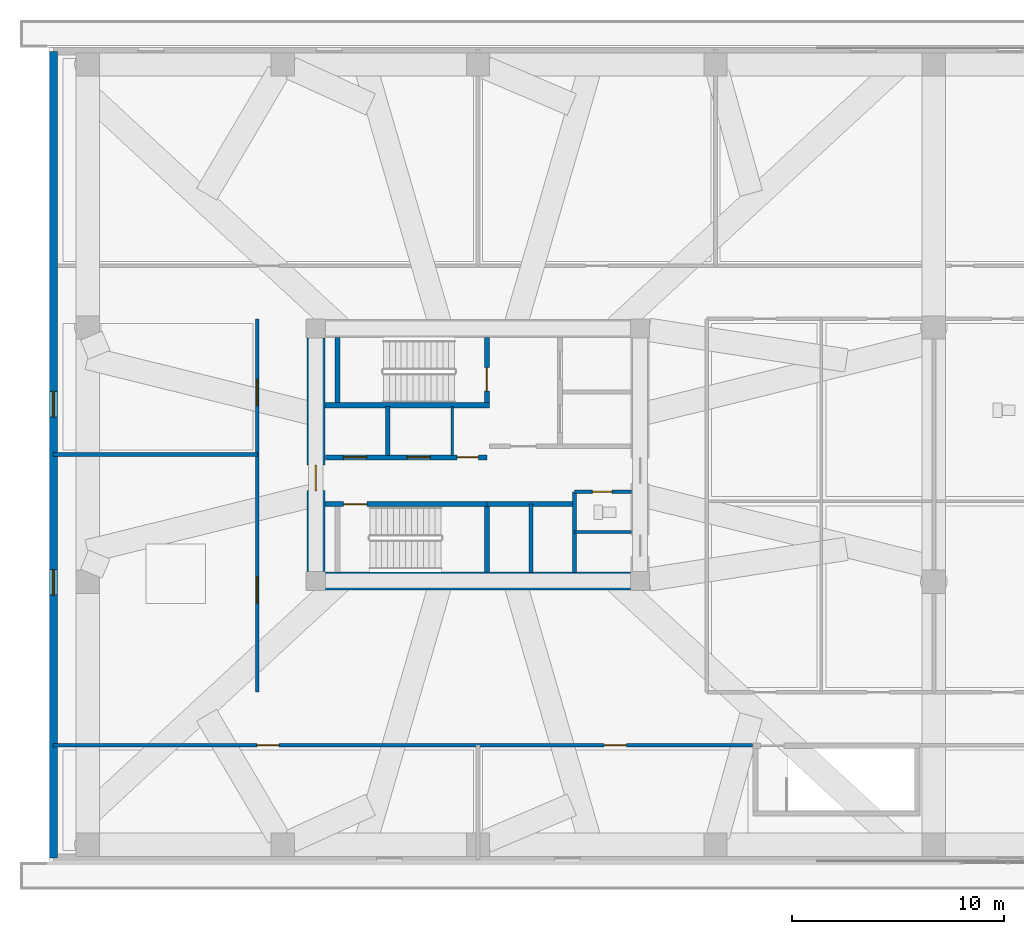
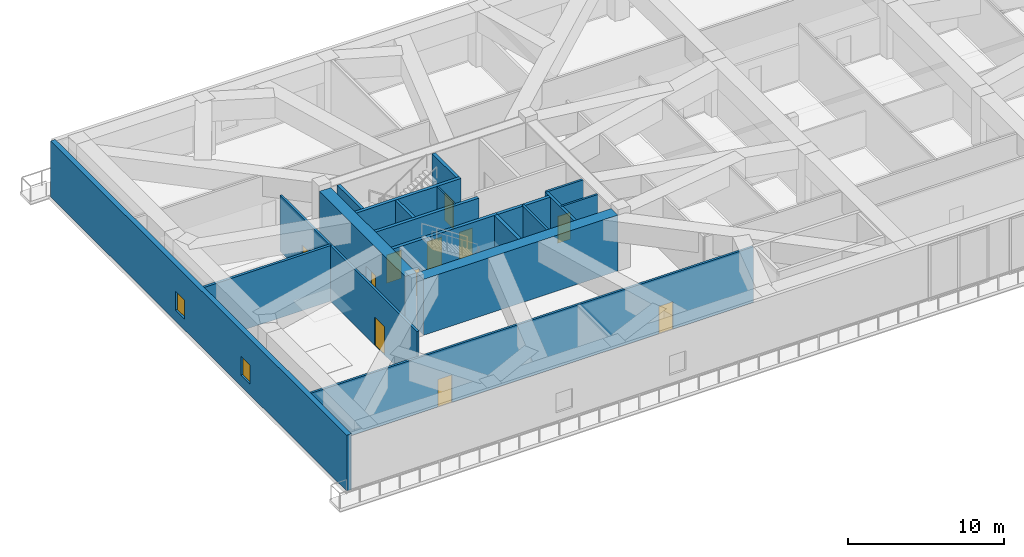
# One storey, part 5 of 21: 19 walls, 11 doors, 2 windows, 13 openings.
"""IFC4 building model written with IfcOpenShell, lengths in metres."""

from ifc_helpers import new_model, si_unit, direction, frame, frame_2d, origin, place, context, subcontext, project, spatial, rectangle, extrude, source, transform, mapped, material, layer, layer_set, type_object, type_shapes, element, fill, save


model = new_model("IFC4")

# Units and contexts
model_context = context("Model", 3, precision=1e-05, world=origin(), true_north=direction((0.0, 1.0)))
body_context = subcontext(model_context, "Body", "Model", "MODEL_VIEW")
ifc_project = project(units=[si_unit("LENGTHUNIT", "METRE"), si_unit("AREAUNIT", "SQUARE_METRE"), si_unit("VOLUMEUNIT", "CUBIC_METRE"), si_unit("PLANEANGLEUNIT", "RADIAN"), si_unit("MASSUNIT", "GRAM", prefix="KILO")], contexts=[model_context])

# Site, building, storey
site_placement = place(None, origin())
site = spatial("IfcSite", under=ifc_project, at=site_placement, CompositionType="ELEMENT")
building_placement = place(site_placement, origin())
building = spatial("IfcBuilding", under=site, at=building_placement, Name="Norrkilde Senior Care Towers", CompositionType="ELEMENT")
storey_placement = place(building_placement, frame((0.0, 0.0, 16.800048828125)))
storey = spatial("IfcBuildingStorey", under=building, at=storey_placement, Name="L04", CompositionType="ELEMENT", Elevation=16.800048828125)

# Wall
ifc_material_1 = material(Name="Concrete C60/75", Category="concrete")
ifc_layer_1 = layer(ifc_material_1, 0.85009765625)
ifc_layer_set_1 = layer_set([ifc_layer_1], Name="Concrete C60/75")
wall_type_1 = type_object("IfcWallType", Name="Core Shear Wall Z1 850", PredefinedType="SHEAR", material=ifc_layer_set_1)
shared_shape_1 = source(origin(), body_context, "Body", "SweptSolid", [
    extrude(rectangle(XDim=14.39990234375, YDim=0.85009765625, at=frame_2d((7.199951171875, 0.0))), origin(), (0.0, 0.0, 1.0), 4.3798828125),
])
wall_1_placement = place(storey_placement, frame((-20.800048828125, -5.949951171875, 0.0), z_axis=(0.0, 0.0, 1.0), x_axis=(-1.0, 0.0, 0.0)))
element("IfcWall", 1, at=wall_1_placement, inside=storey, type_object=wall_type_1, Name="L04 Core W South Shear Wall", PredefinedType="SHEAR", context=body_context, shape_type="MappedRepresentation", body=[
    mapped(shared_shape_1, transform((0.0, 0.0, 0.0), x_axis=(1.0, 0.0, 0.0), y_axis=(0.0, 1.0, 0.0), z_axis=(0.0, 0.0, 1.0), scale=1.0)),
])

# Wall, opening, door
shared_shape_2 = source(origin(), body_context, "Body", "SweptSolid", [
    extrude(rectangle(XDim=11.0, YDim=0.85009765625, at=frame_2d((5.5, 0.0))), origin(), (0.0, 0.0, 1.0), 4.3798828125),
])
type_shapes(wall_type_1, [shared_shape_1, shared_shape_2])
wall_2_placement = place(storey_placement, frame((-35.64990234375, -5.5, 0.0), z_axis=(0.0, 0.0, 1.0), x_axis=(0.0, 1.0, 0.0)))
wall_2 = element("IfcWall", 2, at=wall_2_placement, inside=storey, type_object=wall_type_1, Name="L04 Core W West Shear Wall", PredefinedType="SHEAR", context=body_context, shape_type="MappedRepresentation", body=[
    mapped(shared_shape_2, transform((0.0, 0.0, 0.0), x_axis=(1.0, 0.0, 0.0), y_axis=(0.0, 1.0, 0.0), z_axis=(0.0, 0.0, 1.0), scale=1.0)),
])
opening_1_placement = place(wall_2_placement, frame((3.800048828125, 0.0, 0.0)))
opening_1 = element("IfcOpeningElement", 3, at=opening_1_placement, cuts=wall_2, Name="Opening D-04", PredefinedType="OPENING", context=body_context, shape_type="SweptSolid", body=[
    extrude(rectangle(XDim=1.199951171875, YDim=2.14990234375, at=frame_2d((0.60009765625, 1.074951171875))), frame((0.0, 0.43505859375, 0.0), z_axis=(0.0, -1.0, 0.0), x_axis=(1.0, 0.0, 0.0)), (0.0, 0.0, 1.0), 0.8701171875),
])
ifc_material_2 = material(Name="Galvanised Painted Steel", Category="steel")
door_type_1 = type_object("IfcDoorType", Name="Firefighting Lobby Fire Door 1200x2150", OperationType="NOTDEFINED", PredefinedType="DOOR", material=ifc_material_2)
shared_shape_3 = source(origin(), body_context, "Body", "SweptSolid", [
    extrude(rectangle(XDim=1.199951171875, YDim=2.14990234375, at=frame_2d((0.60009765625, 1.074951171875))), frame((0.0, 0.02490234375, 0.0), z_axis=(0.0, -1.0, 0.0), x_axis=(1.0, 0.0, 0.0)), (0.0, 0.0, 1.0), 0.050048828125),
])
type_shapes(door_type_1, [shared_shape_3])
door_1_placement = place(opening_1_placement, frame((1.199951171875, 0.0, 0.0), z_axis=(0.0, 0.0, 1.0), x_axis=(-1.0, 0.0, 0.0)))
door_1 = element("IfcDoor", 4, at=door_1_placement, inside=storey, type_object=door_type_1, Name="L04 Core W West Portal Door", OperationType="SINGLE_SWING_LEFT", OverallHeight=2.14990234375, OverallWidth=1.199951171875, PredefinedType="DOOR", context=body_context, shape_type="MappedRepresentation", body=[
    mapped(shared_shape_3, transform((0.0, 0.0, 0.0), x_axis=(1.0, 0.0, 0.0), y_axis=(0.0, 1.0, 0.0), z_axis=(0.0, 0.0, 1.0), scale=1.0)),
])
fill(opening_1, door_1)

# Wall, openings, windows
ifc_material_3 = material(Name="Precast concrete C45/55", Category="concrete")
ifc_layer_2 = layer(ifc_material_3, 0.360107421875)
ifc_layer_set_2 = layer_set([ifc_layer_2], Name="Precast concrete C45/55")
wall_type_2 = type_object("IfcWallType", Name="Podium Facade Wall 360", PredefinedType="SOLIDWALL", material=ifc_layer_set_2)
shared_shape_4 = source(origin(), body_context, "Body", "SweptSolid", [
    extrude(rectangle(XDim=38.0400390625, YDim=0.360107421875, at=frame_2d((19.02001953125, 0.0))), origin(), (0.0, 0.0, 1.0), 4.3798828125),
])
type_shapes(wall_type_2, [shared_shape_4])
wall_3_placement = place(storey_placement, frame((-48.02001953125, -19.02001953125, 0.0), z_axis=(0.0, 0.0, 1.0), x_axis=(0.0, 1.0, 0.0)))
wall_3 = element("IfcWall", 5, at=wall_3_placement, inside=storey, type_object=wall_type_2, Name="L04 Podium W Facade Wall", PredefinedType="SOLIDWALL", context=body_context, shape_type="MappedRepresentation", body=[
    mapped(shared_shape_4, transform((0.0, 0.0, 0.0), x_axis=(1.0, 0.0, 0.0), y_axis=(0.0, 1.0, 0.0), z_axis=(0.0, 0.0, 1.0), scale=1.0)),
])
opening_2_placement = place(wall_3_placement, frame((12.39990234375, 0.0, 0.85009765625)))
opening_2 = element("IfcOpeningElement", 6, at=opening_2_placement, cuts=wall_3, Name="Opening WN-07", PredefinedType="OPENING", context=body_context, shape_type="SweptSolid", body=[
    extrude(rectangle(XDim=1.199951171875, YDim=1.5, at=frame_2d((0.60009765625, 0.75))), frame((0.0, 0.18994140625, 0.0), z_axis=(0.0, -1.0, 0.0), x_axis=(1.0, 0.0, 0.0)), (0.0, 0.0, 1.0), 0.380126953125),
])
opening_3_placement = place(wall_3_placement, frame((20.800048828125, 0.0, 0.85009765625)))
opening_3 = element("IfcOpeningElement", 7, at=opening_3_placement, cuts=wall_3, Name="Opening WN-07", PredefinedType="OPENING", context=body_context, shape_type="SweptSolid", body=[
    extrude(rectangle(XDim=1.199951171875, YDim=1.5, at=frame_2d((0.60009765625, 0.75))), frame((0.0, 0.18994140625, 0.0), z_axis=(0.0, -1.0, 0.0), x_axis=(1.0, 0.0, 0.0)), (0.0, 0.0, 1.0), 0.380126953125),
])
ifc_material_4 = material(Name="Triple Low-E Insulated Glazing", Category="glass")
window_type = type_object("IfcWindowType", Name="Stairwell Smoke Vent Window 1200x1500", PartitioningType="SINGLE_PANEL", PredefinedType="WINDOW", material=ifc_material_4)
shared_shape_5 = source(origin(), body_context, "Body", "SweptSolid", [
    extrude(rectangle(XDim=1.199951171875, YDim=1.5, at=frame_2d((0.60009765625, 0.75))), frame((0.0, 0.030029296875, 0.0), z_axis=(0.0, -1.0, 0.0), x_axis=(1.0, 0.0, 0.0)), (0.0, 0.0, 1.0), 0.06005859375),
])
type_shapes(window_type, [shared_shape_5])
window_1_placement = place(opening_2_placement, origin())
window_1 = element("IfcWindow", 8, at=window_1_placement, inside=storey, type_object=window_type, Name="L04 W Window 02", OverallHeight=1.5, OverallWidth=1.199951171875, PartitioningType="SINGLE_PANEL", PredefinedType="WINDOW", context=body_context, shape_type="MappedRepresentation", body=[
    mapped(shared_shape_5, transform((0.0, 0.0, 0.0), x_axis=(1.0, 0.0, 0.0), y_axis=(0.0, 1.0, 0.0), z_axis=(0.0, 0.0, 1.0), scale=1.0)),
])
fill(opening_2, window_1)
window_2_placement = place(opening_3_placement, origin())
window_2 = element("IfcWindow", 9, at=window_2_placement, inside=storey, type_object=window_type, Name="L04 W Window 03", OverallHeight=1.5, OverallWidth=1.199951171875, PartitioningType="SINGLE_PANEL", PredefinedType="WINDOW", context=body_context, shape_type="MappedRepresentation", body=[
    mapped(shared_shape_5, transform((0.0, 0.0, 0.0), x_axis=(1.0, 0.0, 0.0), y_axis=(0.0, 1.0, 0.0), z_axis=(0.0, 0.0, 1.0), scale=1.0)),
])
fill(opening_3, window_2)

# Wall
ifc_material_5 = material(Name="Concrete C45/55", Category="concrete")
ifc_layer_3 = layer(ifc_material_5, 0.239990234375)
ifc_layer_set_3 = layer_set([ifc_layer_3], Name="Concrete C45/55")
wall_type_3 = type_object("IfcWallType", Name="Shaft and Stair Enclosure Wall 240", PredefinedType="PARTITIONING", material=ifc_layer_set_3)
shared_shape_6 = source(origin(), body_context, "Body", "SweptSolid", [
    extrude(rectangle(XDim=7.76513671875, YDim=0.239990234375, at=frame_2d((3.882568359375, 0.0))), origin(), (0.0, 0.0, 1.0), 4.3798828125),
])
wall_4_placement = place(storey_placement, frame((-35.22509765625, 2.330078125, 0.0), z_axis=(0.0, 0.0, 1.0), x_axis=(1.0, 0.0, 0.0)))
element("IfcWall", 10, at=wall_4_placement, inside=storey, type_object=wall_type_3, Name="WL-INT-L04-W-ST1S", PredefinedType="PARTITIONING", context=body_context, shape_type="MappedRepresentation", body=[
    mapped(shared_shape_6, transform((0.0, 0.0, 0.0), x_axis=(1.0, 0.0, 0.0), y_axis=(0.0, 1.0, 0.0), z_axis=(0.0, 0.0, 1.0), scale=1.0)),
])

# Wall, opening, door
wall_5_placement = place(storey_placement, frame((-35.22509765625, -2.330078125, 0.0), z_axis=(0.0, 0.0, 1.0), x_axis=(1.0, 0.0, 0.0)))
wall_5 = element("IfcWall", 11, at=wall_5_placement, inside=storey, type_object=wall_type_3, Name="WL-INT-L04-W-ST2N", PredefinedType="PARTITIONING", context=body_context, shape_type="MappedRepresentation", body=[
    mapped(shared_shape_6, transform((0.0, 0.0, 0.0), x_axis=(1.0, 0.0, 0.0), y_axis=(0.0, 1.0, 0.0), z_axis=(0.0, 0.0, 1.0), scale=1.0)),
])
opening_4_placement = place(wall_5_placement, frame((0.885009765625, 0.0, 0.0)))
opening_4 = element("IfcOpeningElement", 12, at=opening_4_placement, cuts=wall_5, Name="Opening D-03", PredefinedType="OPENING", context=body_context, shape_type="SweptSolid", body=[
    extrude(rectangle(XDim=1.10009765625, YDim=2.14990234375, at=frame_2d((0.550048828125, 1.074951171875))), frame((0.0, 0.1298828125, 0.0), z_axis=(0.0, -1.0, 0.0), x_axis=(1.0, 0.0, 0.0)), (0.0, 0.0, 1.0), 0.260009765625),
])
door_type_2 = type_object("IfcDoorType", Name="Stairwell Protected Fire Door 1100x2150", OperationType="NOTDEFINED", PredefinedType="DOOR", material=ifc_material_2)
shared_shape_7 = source(origin(), body_context, "Body", "SweptSolid", [
    extrude(rectangle(XDim=1.10009765625, YDim=2.14990234375, at=frame_2d((0.550048828125, 1.074951171875))), frame((0.0, 0.02490234375, 0.0), z_axis=(0.0, -1.0, 0.0), x_axis=(1.0, 0.0, 0.0)), (0.0, 0.0, 1.0), 0.050048828125),
])
type_shapes(door_type_2, [shared_shape_7])
door_2_placement = place(opening_4_placement, frame((1.10009765625, 0.0, 0.0), z_axis=(0.0, 0.0, 1.0), x_axis=(-1.0, 0.0, 0.0)))
door_2 = element("IfcDoor", 13, at=door_2_placement, inside=storey, type_object=door_type_2, Name="L04 Stair W2 Fire Door", OperationType="SINGLE_SWING_RIGHT", OverallHeight=2.14990234375, OverallWidth=1.10009765625, PredefinedType="DOOR", context=body_context, shape_type="MappedRepresentation", body=[
    mapped(shared_shape_7, transform((0.0, 0.0, 0.0), x_axis=(1.0, 0.0, 0.0), y_axis=(0.0, 1.0, 0.0), z_axis=(0.0, 0.0, 1.0), scale=1.0)),
])
fill(opening_4, door_2)

# Wall
shared_shape_8 = source(origin(), body_context, "Body", "SweptSolid", [
    extrude(rectangle(XDim=3.074951171875, YDim=0.239990234375, at=frame_2d((1.53759765625, 0.0))), origin(), (0.0, 0.0, 1.0), 4.3798828125),
])
type_shapes(wall_type_3, [shared_shape_6, shared_shape_8])
wall_6_placement = place(storey_placement, frame((-34.6201171875, 2.449951171875, 0.0), z_axis=(0.0, 0.0, 1.0), x_axis=(0.0, 1.0, 0.0)))
element("IfcWall", 14, at=wall_6_placement, inside=storey, type_object=wall_type_3, Name="WL-INT-L04-W-ST1W", PredefinedType="PARTITIONING", context=body_context, shape_type="MappedRepresentation", body=[
    mapped(shared_shape_8, transform((0.0, 0.0, 0.0), x_axis=(1.0, 0.0, 0.0), y_axis=(0.0, 1.0, 0.0), z_axis=(0.0, 0.0, 1.0), scale=1.0)),
])

# Wall, opening, door
wall_7_placement = place(storey_placement, frame((-27.580078125, 2.449951171875, 0.0), z_axis=(0.0, 0.0, 1.0), x_axis=(0.0, 1.0, 0.0)))
wall_7 = element("IfcWall", 15, at=wall_7_placement, inside=storey, type_object=wall_type_3, Name="WL-INT-L04-W-ST1E", PredefinedType="PARTITIONING", context=body_context, shape_type="MappedRepresentation", body=[
    mapped(shared_shape_8, transform((0.0, 0.0, 0.0), x_axis=(1.0, 0.0, 0.0), y_axis=(0.0, 1.0, 0.0), z_axis=(0.0, 0.0, 1.0), scale=1.0)),
])
opening_5_placement = place(wall_7_placement, frame((0.550048828125, 0.0, 0.0)))
opening_5 = element("IfcOpeningElement", 16, at=opening_5_placement, cuts=wall_7, Name="Opening D-03", PredefinedType="OPENING", context=body_context, shape_type="SweptSolid", body=[
    extrude(rectangle(XDim=1.10009765625, YDim=2.14990234375, at=frame_2d((0.550048828125, 1.074951171875))), frame((0.0, 0.1298828125, 0.0), z_axis=(0.0, -1.0, 0.0), x_axis=(1.0, 0.0, 0.0)), (0.0, 0.0, 1.0), 0.260009765625),
])
door_3_placement = place(opening_5_placement, origin())
door_3 = element("IfcDoor", 17, at=door_3_placement, inside=storey, type_object=door_type_2, Name="L04 Stair W1 Fire Door", OperationType="SINGLE_SWING_LEFT", OverallHeight=2.14990234375, OverallWidth=1.10009765625, PredefinedType="DOOR", context=body_context, shape_type="MappedRepresentation", body=[
    mapped(shared_shape_7, transform((0.0, 0.0, 0.0), x_axis=(1.0, 0.0, 0.0), y_axis=(0.0, 1.0, 0.0), z_axis=(0.0, 0.0, 1.0), scale=1.0)),
])
fill(opening_5, door_3)

# Wall
wall_8_placement = place(storey_placement, frame((-27.580078125, -5.52490234375, 0.0), z_axis=(0.0, 0.0, 1.0), x_axis=(0.0, 1.0, 0.0)))
element("IfcWall", 18, at=wall_8_placement, inside=storey, type_object=wall_type_3, Name="WL-INT-L04-W-ST2E", PredefinedType="PARTITIONING", context=body_context, shape_type="MappedRepresentation", body=[
    mapped(shared_shape_8, transform((0.0, 0.0, 0.0), x_axis=(1.0, 0.0, 0.0), y_axis=(0.0, 1.0, 0.0), z_axis=(0.0, 0.0, 1.0), scale=1.0)),
])

# Wall, openings, doors
ifc_layer_4 = layer(ifc_material_5, 0.239990234375)
ifc_layer_set_4 = layer_set([ifc_layer_4], Name="Concrete C45/55")
wall_type_4 = type_object("IfcWallType", Name="Lift and Plant Rated Enclosure Partition 240", PredefinedType="PARTITIONING", material=ifc_layer_set_4)
shared_shape_9 = source(origin(), body_context, "Body", "SweptSolid", [
    extrude(rectangle(XDim=7.619873046875, YDim=0.239990234375, at=frame_2d((3.81005859375, 0.0))), origin(), (0.0, 0.0, 1.0), 4.364990234375),
])
wall_9_placement = place(storey_placement, frame((-35.199951171875, -0.1298828125, 0.0), z_axis=(0.0, 0.0, 1.0), x_axis=(1.0, 0.0, 0.0)))
wall_9 = element("IfcWall", 19, at=wall_9_placement, inside=storey, type_object=wall_type_4, Name="WL-INT-L04-W-PKAS", PredefinedType="PARTITIONING", context=body_context, shape_type="MappedRepresentation", body=[
    mapped(shared_shape_9, transform((0.0, 0.0, 0.0), x_axis=(1.0, 0.0, 0.0), y_axis=(0.0, 1.0, 0.0), z_axis=(0.0, 0.0, 1.0), scale=1.0)),
])
opening_6_placement = place(wall_9_placement, frame((6.219970703125, 0.0, 0.0)))
opening_6 = element("IfcOpeningElement", 20, at=opening_6_placement, cuts=wall_9, Name="Opening D-10", PredefinedType="OPENING", context=body_context, shape_type="SweptSolid", body=[
    extrude(rectangle(XDim=1.0, YDim=2.10009765625, at=frame_2d((0.5, 1.050048828125))), frame((0.0, 0.1298828125, 0.0), z_axis=(0.0, -1.0, 0.0), x_axis=(1.0, 0.0, 0.0)), (0.0, 0.0, 1.0), 0.260009765625),
])
opening_7_placement = place(wall_9_placement, frame((0.85009765625, 0.0, 0.0)))
opening_7 = element("IfcOpeningElement", 21, at=opening_7_placement, cuts=wall_9, Name="Opening LD-01", PredefinedType="OPENING", context=body_context, shape_type="SweptSolid", body=[
    extrude(rectangle(XDim=1.10009765625, YDim=2.199951171875, at=frame_2d((0.550048828125, 1.10009765625))), frame((0.0, 0.1298828125, 0.0), z_axis=(0.0, -1.0, 0.0), x_axis=(1.0, 0.0, 0.0)), (0.0, 0.0, 1.0), 0.260009765625),
])
opening_8_placement = place(wall_9_placement, frame((3.85009765625, 0.0, 0.0)))
opening_8 = element("IfcOpeningElement", 22, at=opening_8_placement, cuts=wall_9, Name="Opening LD-01", PredefinedType="OPENING", context=body_context, shape_type="SweptSolid", body=[
    extrude(rectangle(XDim=1.10009765625, YDim=2.199951171875, at=frame_2d((0.550048828125, 1.10009765625))), frame((0.0, 0.1298828125, 0.0), z_axis=(0.0, -1.0, 0.0), x_axis=(1.0, 0.0, 0.0)), (0.0, 0.0, 1.0), 0.260009765625),
])
door_type_3 = type_object("IfcDoorType", Name="Plant and Riser Rated Door 1000x2100", OperationType="NOTDEFINED", PredefinedType="DOOR", material=ifc_material_2)
shared_shape_10 = source(origin(), body_context, "Body", "SweptSolid", [
    extrude(rectangle(XDim=1.0, YDim=2.10009765625, at=frame_2d((0.5, 1.050048828125))), frame((0.0, 0.02490234375, 0.0), z_axis=(0.0, -1.0, 0.0), x_axis=(1.0, 0.0, 0.0)), (0.0, 0.0, 1.0), 0.050048828125),
])
type_shapes(door_type_3, [shared_shape_10])
door_4_placement = place(opening_6_placement, frame((1.0, 0.0, 0.0), z_axis=(0.0, 0.0, 1.0), x_axis=(-1.0, 0.0, 0.0)))
door_4 = element("IfcDoor", 23, at=door_4_placement, inside=storey, type_object=door_type_3, Name="L04 Electrical Riser W Door", OperationType="SINGLE_SWING_LEFT", OverallHeight=2.10009765625, OverallWidth=1.0, PredefinedType="DOOR", context=body_context, shape_type="MappedRepresentation", body=[
    mapped(shared_shape_10, transform((0.0, 0.0, 0.0), x_axis=(1.0, 0.0, 0.0), y_axis=(0.0, 1.0, 0.0), z_axis=(0.0, 0.0, 1.0), scale=1.0)),
])
fill(opening_6, door_4)
ifc_material_6 = material(Name="Stainless Steel", Category="steel")
door_type_4 = type_object("IfcDoorType", Name="Lift Landing Sliding Door 1100x2200", OperationType="NOTDEFINED", PredefinedType="DOOR", material=ifc_material_6)
shared_shape_11 = source(origin(), body_context, "Body", "SweptSolid", [
    extrude(rectangle(XDim=1.10009765625, YDim=2.199951171875, at=frame_2d((0.550048828125, 1.10009765625))), frame((0.0, 0.02490234375, 0.0), z_axis=(0.0, -1.0, 0.0), x_axis=(1.0, 0.0, 0.0)), (0.0, 0.0, 1.0), 0.050048828125),
])
type_shapes(door_type_4, [shared_shape_11])
door_5_placement = place(opening_7_placement, origin())
door_5 = element("IfcDoor", 24, at=door_5_placement, inside=storey, type_object=door_type_4, Name="L04 Passenger Lift W1 Landing Door", OperationType="SLIDING_TO_LEFT", OverallHeight=2.199951171875, OverallWidth=1.10009765625, PredefinedType="DOOR", context=body_context, shape_type="MappedRepresentation", body=[
    mapped(shared_shape_11, transform((0.0, 0.0, 0.0), x_axis=(1.0, 0.0, 0.0), y_axis=(0.0, 1.0, 0.0), z_axis=(0.0, 0.0, 1.0), scale=1.0)),
])
fill(opening_7, door_5)
door_6_placement = place(opening_8_placement, origin())
door_6 = element("IfcDoor", 25, at=door_6_placement, inside=storey, type_object=door_type_4, Name="L04 Passenger Lift W2 Landing Door", OperationType="SLIDING_TO_RIGHT", OverallHeight=2.199951171875, OverallWidth=1.10009765625, PredefinedType="DOOR", context=body_context, shape_type="MappedRepresentation", body=[
    mapped(shared_shape_11, transform((0.0, 0.0, 0.0), x_axis=(1.0, 0.0, 0.0), y_axis=(0.0, 1.0, 0.0), z_axis=(0.0, 0.0, 1.0), scale=1.0)),
])
fill(opening_8, door_6)

# Walls
ifc_material_7 = material(Name="Gypsum Acoustic Board")
ifc_layer_5 = layer(ifc_material_7, 0.114990234375)
ifc_layer_set_5 = layer_set([ifc_layer_5], Name="Gypsum Acoustic Board")
wall_type_5 = type_object("IfcWallType", Name="Internal Room Partition 115", PredefinedType="PARTITIONING", material=ifc_layer_set_5)
shared_shape_12 = source(origin(), body_context, "Body", "SweptSolid", [
    extrude(rectangle(XDim=2.330078125, YDim=0.114990234375, at=frame_2d((1.1650390625, 0.0))), origin(), (0.0, 0.0, 1.0), 4.364990234375),
])
type_shapes(wall_type_5, [shared_shape_12])
wall_10_placement = place(storey_placement, frame((-29.2099609375, -0.050048828125, 0.0), z_axis=(0.0, 0.0, 1.0), x_axis=(0.0, 1.0, 0.0)))
element("IfcWall", 26, at=wall_10_placement, inside=storey, type_object=wall_type_5, Name="WL-INT-L04-W-RISW", PredefinedType="PARTITIONING", context=body_context, shape_type="MappedRepresentation", body=[
    mapped(shared_shape_12, transform((0.0, 0.0, 0.0), x_axis=(1.0, 0.0, 0.0), y_axis=(0.0, 1.0, 0.0), z_axis=(0.0, 0.0, 1.0), scale=1.0)),
])
ifc_layer_6 = layer(ifc_material_5, 0.199951171875)
ifc_layer_set_6 = layer_set([ifc_layer_6], Name="Concrete C45/55")
wall_type_6 = type_object("IfcWallType", Name="Shaft Division and Plant Partition 200", PredefinedType="PARTITIONING", material=ifc_layer_set_6)
shared_shape_13 = source(origin(), body_context, "Body", "SweptSolid", [
    extrude(rectangle(XDim=2.330078125, YDim=0.199951171875, at=frame_2d((1.1650390625, 0.0))), origin(), (0.0, 0.0, 1.0), 4.364990234375),
])
wall_11_placement = place(storey_placement, frame((-32.25, -0.050048828125, 0.0), z_axis=(0.0, 0.0, 1.0), x_axis=(0.0, 1.0, 0.0)))
element("IfcWall", 27, at=wall_11_placement, inside=storey, type_object=wall_type_6, Name="WL-INT-L04-W-PL12", PredefinedType="PARTITIONING", context=body_context, shape_type="MappedRepresentation", body=[
    mapped(shared_shape_13, transform((0.0, 0.0, 0.0), x_axis=(1.0, 0.0, 0.0), y_axis=(0.0, 1.0, 0.0), z_axis=(0.0, 0.0, 1.0), scale=1.0)),
])
shared_shape_14 = source(origin(), body_context, "Body", "SweptSolid", [
    extrude(rectangle(XDim=3.800048828125, YDim=0.199951171875, at=frame_2d((1.89990234375, 0.0))), origin(), (0.0, 0.0, 1.0), 4.364990234375),
])
type_shapes(wall_type_6, [shared_shape_13, shared_shape_14])
wall_12_placement = place(storey_placement, frame((-23.449951171875, -5.550048828125, 0.0), z_axis=(0.0, 0.0, 1.0), x_axis=(0.0, 1.0, 0.0)))
element("IfcWall", 28, at=wall_12_placement, inside=storey, type_object=wall_type_6, Name="WL-INT-L04-W-PKBE", PredefinedType="PARTITIONING", context=body_context, shape_type="MappedRepresentation", body=[
    mapped(shared_shape_14, transform((0.0, 0.0, 0.0), x_axis=(1.0, 0.0, 0.0), y_axis=(0.0, 1.0, 0.0), z_axis=(0.0, 0.0, 1.0), scale=1.0)),
])
shared_shape_15 = source(origin(), body_context, "Body", "SweptSolid", [
    extrude(rectangle(XDim=4.130126953125, YDim=0.239990234375, at=frame_2d((2.06494140625, 0.0))), origin(), (0.0, 0.0, 1.0), 4.364990234375),
])
type_shapes(wall_type_4, [shared_shape_9, shared_shape_15])
wall_13_placement = place(storey_placement, frame((-27.580078125, -2.330078125, 0.0), z_axis=(0.0, 0.0, 1.0), x_axis=(1.0, 0.0, 0.0)))
element("IfcWall", 29, at=wall_13_placement, inside=storey, type_object=wall_type_4, Name="WL-INT-L04-W-PKBN", PredefinedType="PARTITIONING", context=body_context, shape_type="MappedRepresentation", body=[
    mapped(shared_shape_15, transform((0.0, 0.0, 0.0), x_axis=(1.0, 0.0, 0.0), y_axis=(0.0, 1.0, 0.0), z_axis=(0.0, 0.0, 1.0), scale=1.0)),
])
ifc_layer_7 = layer(ifc_material_5, 0.179931640625)
ifc_layer_set_7 = layer_set([ifc_layer_7], Name="Concrete C45/55")
wall_type_7 = type_object("IfcWallType", Name="Hoistway Division Rated Partition 180", PredefinedType="PARTITIONING", material=ifc_layer_set_7)
shared_shape_16 = source(origin(), body_context, "Body", "SweptSolid", [
    extrude(rectangle(XDim=3.219970703125, YDim=0.179931640625, at=frame_2d((1.60986328125, 0.0))), origin(), (0.0, 0.0, 1.0), 4.364990234375),
])
type_shapes(wall_type_7, [shared_shape_16])
wall_14_placement = place(storey_placement, frame((-25.5, -5.550048828125, 0.0), z_axis=(0.0, 0.0, 1.0), x_axis=(0.0, 1.0, 0.0)))
element("IfcWall", 30, at=wall_14_placement, inside=storey, type_object=wall_type_7, Name="WL-INT-L04-W-PL34", PredefinedType="PARTITIONING", context=body_context, shape_type="MappedRepresentation", body=[
    mapped(shared_shape_16, transform((0.0, 0.0, 0.0), x_axis=(1.0, 0.0, 0.0), y_axis=(0.0, 1.0, 0.0), z_axis=(0.0, 0.0, 1.0), scale=1.0)),
])

# Wall, opening, door
ifc_layer_8 = layer(ifc_material_7, 0.1650390625)
ifc_layer_set_8 = layer_set([ifc_layer_8], Name="Gypsum Acoustic Board")
wall_type_8 = type_object("IfcWallType", Name="Corridor Rated Partition 165", PredefinedType="PARTITIONING", material=ifc_layer_set_8)
shared_shape_17 = source(origin(), body_context, "Body", "SweptSolid", [
    extrude(rectangle(XDim=2.699951171875, YDim=0.1650390625, at=frame_2d((1.35009765625, 0.0))), origin(), (0.0, 0.0, 1.0), 4.364990234375),
])
wall_15_placement = place(storey_placement, frame((-23.449951171875, -1.75, 0.0), z_axis=(0.0, 0.0, 1.0), x_axis=(1.0, 0.0, 0.0)))
wall_15 = element("IfcWall", 31, at=wall_15_placement, inside=storey, type_object=wall_type_8, Name="WL-INT-L04-W-CSN", PredefinedType="PARTITIONING", context=body_context, shape_type="MappedRepresentation", body=[
    mapped(shared_shape_17, transform((0.0, 0.0, 0.0), x_axis=(1.0, 0.0, 0.0), y_axis=(0.0, 1.0, 0.0), z_axis=(0.0, 0.0, 1.0), scale=1.0)),
])
opening_9_placement = place(wall_15_placement, frame((0.85009765625, 0.0, 0.0)))
opening_9 = element("IfcOpeningElement", 32, at=opening_9_placement, cuts=wall_15, Name="Opening D-12", PredefinedType="OPENING", context=body_context, shape_type="SweptSolid", body=[
    extrude(rectangle(XDim=0.925048828125, YDim=2.10009765625, at=frame_2d((0.46240234375, 1.050048828125))), frame((0.0, 0.092529296875, 0.0), z_axis=(0.0, -1.0, 0.0), x_axis=(1.0, 0.0, 0.0)), (0.0, 0.0, 1.0), 0.18505859375),
])
door_type_5 = type_object("IfcDoorType", Name="Core Wet Room Rated Door 925x2100", OperationType="NOTDEFINED", PredefinedType="DOOR", material=ifc_material_2)
shared_shape_18 = source(origin(), body_context, "Body", "SweptSolid", [
    extrude(rectangle(XDim=0.925048828125, YDim=2.10009765625, at=frame_2d((0.46240234375, 1.050048828125))), frame((0.0, 0.02490234375, 0.0), z_axis=(0.0, -1.0, 0.0), x_axis=(1.0, 0.0, 0.0)), (0.0, 0.0, 1.0), 0.050048828125),
])
type_shapes(door_type_5, [shared_shape_18])
door_7_placement = place(opening_9_placement, origin())
door_7 = element("IfcDoor", 33, at=door_7_placement, inside=storey, type_object=door_type_5, Name="L04 Staff WC W Door", OperationType="SINGLE_SWING_LEFT", OverallHeight=2.10009765625, OverallWidth=0.925048828125, PredefinedType="DOOR", context=body_context, shape_type="MappedRepresentation", body=[
    mapped(shared_shape_18, transform((0.0, 0.0, 0.0), x_axis=(1.0, 0.0, 0.0), y_axis=(0.0, 1.0, 0.0), z_axis=(0.0, 0.0, 1.0), scale=1.0)),
])
fill(opening_9, door_7)

# Wall
ifc_layer_9 = layer(ifc_material_7, 0.139892578125)
ifc_layer_set_9 = layer_set([ifc_layer_9], Name="Gypsum Acoustic Board")
wall_type_9 = type_object("IfcWallType", Name="En-suite Wet Room Wall 140", PredefinedType="PARTITIONING", material=ifc_layer_set_9)
shared_shape_19 = source(origin(), body_context, "Body", "SweptSolid", [
    extrude(rectangle(XDim=2.699951171875, YDim=0.139892578125, at=frame_2d((1.35009765625, 0.0))), origin(), (0.0, 0.0, 1.0), 4.364990234375),
])
type_shapes(wall_type_9, [shared_shape_19])
wall_16_placement = place(storey_placement, frame((-23.449951171875, -3.64990234375, 0.0), z_axis=(0.0, 0.0, 1.0), x_axis=(1.0, 0.0, 0.0)))
element("IfcWall", 34, at=wall_16_placement, inside=storey, type_object=wall_type_9, Name="WL-INT-L04-W-CS2H", PredefinedType="PARTITIONING", context=body_context, shape_type="MappedRepresentation", body=[
    mapped(shared_shape_19, transform((0.0, 0.0, 0.0), x_axis=(1.0, 0.0, 0.0), y_axis=(0.0, 1.0, 0.0), z_axis=(0.0, 0.0, 1.0), scale=1.0)),
])

# Wall, openings, doors
shared_shape_20 = source(origin(), body_context, "Body", "SweptSolid", [
    extrude(rectangle(XDim=17.599853515625, YDim=0.1650390625, at=frame_2d((8.7998046875, 0.0))), origin(), (0.0, 0.0, 1.0), 4.364990234375),
])
wall_17_placement = place(storey_placement, frame((-38.39990234375, -11.199951171875, 0.0), z_axis=(0.0, 0.0, 1.0), x_axis=(0.0, 1.0, 0.0)))
wall_17 = element("IfcWall", 35, at=wall_17_placement, inside=storey, type_object=wall_type_8, Name="WL-INT-L04-POD-OW", PredefinedType="PARTITIONING", context=body_context, shape_type="MappedRepresentation", body=[
    mapped(shared_shape_20, transform((0.0, 0.0, 0.0), x_axis=(1.0, 0.0, 0.0), y_axis=(0.0, 1.0, 0.0), z_axis=(0.0, 0.0, 1.0), scale=1.0)),
])
opening_10_placement = place(wall_17_placement, frame((4.199951171875, 0.0, 0.0)))
opening_10 = element("IfcOpeningElement", 36, at=opening_10_placement, cuts=wall_17, Name="Opening D-05", PredefinedType="OPENING", context=body_context, shape_type="SweptSolid", body=[
    extrude(rectangle(XDim=1.25, YDim=2.199951171875, at=frame_2d((0.625, 1.10009765625))), frame((0.0, 0.092529296875, 0.0), z_axis=(0.0, -1.0, 0.0), x_axis=(1.0, 0.0, 0.0)), (0.0, 0.0, 1.0), 0.18505859375),
])
opening_11_placement = place(wall_17_placement, frame((13.5, 0.0, 0.0)))
opening_11 = element("IfcOpeningElement", 37, at=opening_11_placement, cuts=wall_17, Name="Opening D-05", PredefinedType="OPENING", context=body_context, shape_type="SweptSolid", body=[
    extrude(rectangle(XDim=1.25, YDim=2.199951171875, at=frame_2d((0.625, 1.10009765625))), frame((0.0, 0.092529296875, 0.0), z_axis=(0.0, -1.0, 0.0), x_axis=(1.0, 0.0, 0.0)), (0.0, 0.0, 1.0), 0.18505859375),
])
ifc_material_8 = material(Name="Nordic Ash Timber", Category="wood")
door_type_6 = type_object("IfcDoorType", Name="Care Bedroom Bariatric Door 1250x2200", OperationType="NOTDEFINED", PredefinedType="DOOR", material=ifc_material_8)
shared_shape_21 = source(origin(), body_context, "Body", "SweptSolid", [
    extrude(rectangle(XDim=1.25, YDim=2.199951171875, at=frame_2d((0.625, 1.10009765625))), frame((0.0, 0.02490234375, 0.0), z_axis=(0.0, -1.0, 0.0), x_axis=(1.0, 0.0, 0.0)), (0.0, 0.0, 1.0), 0.050048828125),
])
type_shapes(door_type_6, [shared_shape_21])
door_8_placement = place(opening_10_placement, frame((1.25, 0.0, 0.0), z_axis=(0.0, 0.0, 1.0), x_axis=(-1.0, 0.0, 0.0)))
door_8 = element("IfcDoor", 38, at=door_8_placement, inside=storey, type_object=door_type_6, Name="L04 Rehab Ward OW1 Door", OperationType="SINGLE_SWING_LEFT", OverallHeight=2.199951171875, OverallWidth=1.25, PredefinedType="DOOR", context=body_context, shape_type="MappedRepresentation", body=[
    mapped(shared_shape_21, transform((0.0, 0.0, 0.0), x_axis=(1.0, 0.0, 0.0), y_axis=(0.0, 1.0, 0.0), z_axis=(0.0, 0.0, 1.0), scale=1.0)),
])
fill(opening_10, door_8)
door_9_placement = place(opening_11_placement, frame((1.25, 0.0, 0.0), z_axis=(0.0, 0.0, 1.0), x_axis=(-1.0, 0.0, 0.0)))
door_9 = element("IfcDoor", 39, at=door_9_placement, inside=storey, type_object=door_type_6, Name="L04 Wellness Hall OW2 Door", OperationType="SINGLE_SWING_RIGHT", OverallHeight=2.199951171875, OverallWidth=1.25, PredefinedType="DOOR", context=body_context, shape_type="MappedRepresentation", body=[
    mapped(shared_shape_21, transform((0.0, 0.0, 0.0), x_axis=(1.0, 0.0, 0.0), y_axis=(0.0, 1.0, 0.0), z_axis=(0.0, 0.0, 1.0), scale=1.0)),
])
fill(opening_11, door_9)

# Wall
ifc_layer_10 = layer(ifc_material_7, 0.18994140625)
ifc_layer_set_10 = layer_set([ifc_layer_10], Name="Gypsum Acoustic Board")
wall_type_10 = type_object("IfcWallType", Name="Unit Demising Acoustic Wall 190", PredefinedType="PARTITIONING", material=ifc_layer_set_10)
shared_shape_22 = source(origin(), body_context, "Body", "SweptSolid", [
    extrude(rectangle(XDim=9.650146484375, YDim=0.18994140625, at=frame_2d((4.8251953125, 0.0))), origin(), (0.0, 0.0, 1.0), 4.364990234375),
])
type_shapes(wall_type_10, [shared_shape_22])
wall_18_placement = place(storey_placement, frame((-48.050048828125, 0.0, 0.0), z_axis=(0.0, 0.0, 1.0), x_axis=(1.0, 0.0, 0.0)))
element("IfcWall", 40, at=wall_18_placement, inside=storey, type_object=wall_type_10, Name="WL-INT-L04-POD-OWH", PredefinedType="PARTITIONING", context=body_context, shape_type="MappedRepresentation", body=[
    mapped(shared_shape_22, transform((0.0, 0.0, 0.0), x_axis=(1.0, 0.0, 0.0), y_axis=(0.0, 1.0, 0.0), z_axis=(0.0, 0.0, 1.0), scale=1.0)),
])

# Wall, openings, doors
shared_shape_23 = source(origin(), body_context, "Body", "SweptSolid", [
    extrude(rectangle(XDim=33.0, YDim=0.1650390625, at=frame_2d((16.5, 0.0))), origin(), (0.0, 0.0, 1.0), 4.364990234375),
])
type_shapes(wall_type_8, [shared_shape_17, shared_shape_20, shared_shape_23])
wall_19_placement = place(storey_placement, frame((-48.050048828125, -13.699951171875, 0.0), z_axis=(0.0, 0.0, 1.0), x_axis=(1.0, 0.0, 0.0)))
wall_19 = element("IfcWall", 41, at=wall_19_placement, inside=storey, type_object=wall_type_8, Name="WL-INT-L04-POD-SPN", PredefinedType="PARTITIONING", context=body_context, shape_type="MappedRepresentation", body=[
    mapped(shared_shape_23, transform((0.0, 0.0, 0.0), x_axis=(1.0, 0.0, 0.0), y_axis=(0.0, 1.0, 0.0), z_axis=(0.0, 0.0, 1.0), scale=1.0)),
])
opening_12_placement = place(wall_19_placement, frame((9.625, 0.0, 0.0)))
opening_12 = element("IfcOpeningElement", 42, at=opening_12_placement, cuts=wall_19, Name="Opening D-06", PredefinedType="OPENING", context=body_context, shape_type="SweptSolid", body=[
    extrude(rectangle(XDim=1.050048828125, YDim=2.14990234375, at=frame_2d((0.52490234375, 1.074951171875))), frame((0.0, 0.092529296875, 0.0), z_axis=(0.0, -1.0, 0.0), x_axis=(1.0, 0.0, 0.0)), (0.0, 0.0, 1.0), 0.18505859375),
])
opening_13_placement = place(wall_19_placement, frame((26.0, 0.0, 0.0)))
opening_13 = element("IfcOpeningElement", 43, at=opening_13_placement, cuts=wall_19, Name="Opening D-06", PredefinedType="OPENING", context=body_context, shape_type="SweptSolid", body=[
    extrude(rectangle(XDim=1.050048828125, YDim=2.14990234375, at=frame_2d((0.52490234375, 1.074951171875))), frame((0.0, 0.092529296875, 0.0), z_axis=(0.0, -1.0, 0.0), x_axis=(1.0, 0.0, 0.0)), (0.0, 0.0, 1.0), 0.18505859375),
])
door_type_7 = type_object("IfcDoorType", Name="Apartment Entrance Fire Door 1050x2150", OperationType="NOTDEFINED", PredefinedType="DOOR", material=ifc_material_8)
shared_shape_24 = source(origin(), body_context, "Body", "SweptSolid", [
    extrude(rectangle(XDim=1.050048828125, YDim=2.14990234375, at=frame_2d((0.52490234375, 1.074951171875))), frame((0.0, 0.02490234375, 0.0), z_axis=(0.0, -1.0, 0.0), x_axis=(1.0, 0.0, 0.0)), (0.0, 0.0, 1.0), 0.050048828125),
])
type_shapes(door_type_7, [shared_shape_24])
door_10_placement = place(opening_12_placement, frame((1.050048828125, 0.0, 0.0), z_axis=(0.0, 0.0, 1.0), x_axis=(-1.0, 0.0, 0.0)))
door_10 = element("IfcDoor", 44, at=door_10_placement, inside=storey, type_object=door_type_7, Name="L04 South Suite SW1 Door", OperationType="SINGLE_SWING_LEFT", OverallHeight=2.14990234375, OverallWidth=1.050048828125, PredefinedType="DOOR", context=body_context, shape_type="MappedRepresentation", body=[
    mapped(shared_shape_24, transform((0.0, 0.0, 0.0), x_axis=(1.0, 0.0, 0.0), y_axis=(0.0, 1.0, 0.0), z_axis=(0.0, 0.0, 1.0), scale=1.0)),
])
fill(opening_12, door_10)
door_11_placement = place(opening_13_placement, frame((1.050048828125, 0.0, 0.0), z_axis=(0.0, 0.0, 1.0), x_axis=(-1.0, 0.0, 0.0)))
door_11 = element("IfcDoor", 45, at=door_11_placement, inside=storey, type_object=door_type_7, Name="L04 South Suite SW2 Door", OperationType="SINGLE_SWING_RIGHT", OverallHeight=2.14990234375, OverallWidth=1.050048828125, PredefinedType="DOOR", context=body_context, shape_type="MappedRepresentation", body=[
    mapped(shared_shape_24, transform((0.0, 0.0, 0.0), x_axis=(1.0, 0.0, 0.0), y_axis=(0.0, 1.0, 0.0), z_axis=(0.0, 0.0, 1.0), scale=1.0)),
])
fill(opening_13, door_11)

save(model, "model.ifc")
